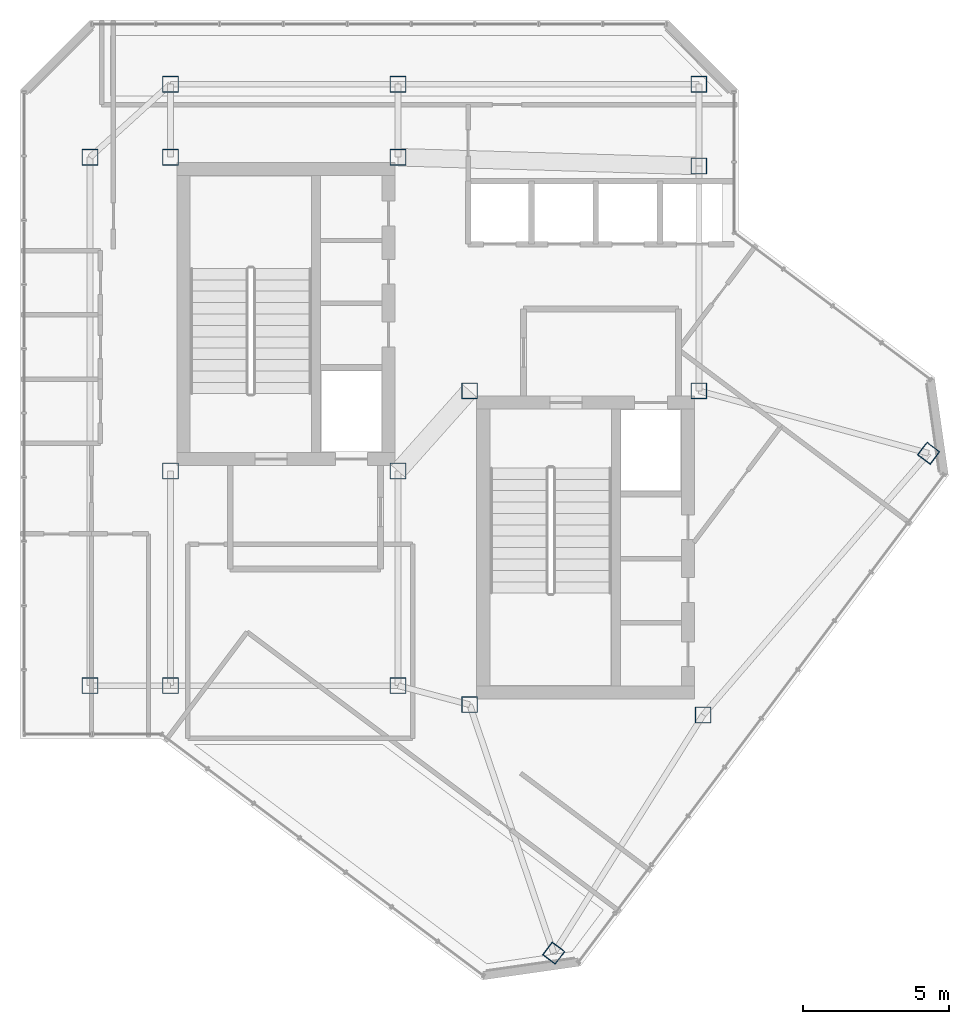
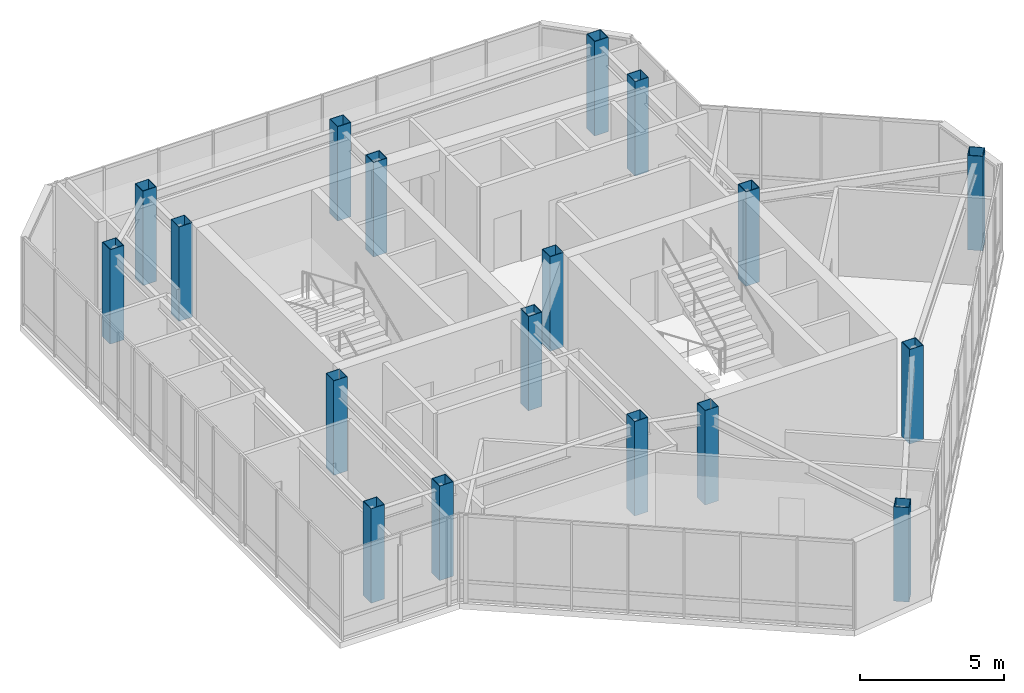
# One storey, part 1 of 24: 18 columns.
"""IFC4 building model written with IfcOpenShell, lengths in metres."""

import ifcopenshell
import ifcopenshell.guid

model = None  # the IFC model being written
_history = None  # IfcOwnerHistory: only IFC2X3 demands one
_inside = {}  # id of a spatial element -> (the spatial element, [elements in it])
_under = {}  # id of a project, library or spatial element -> (it, [spatial elements below it])
_declared = {}  # id of a project -> (the project, [libraries it declares])
_typed = {}  # id of a type object -> (the type object, [elements of that type])
_made_of = {}  # id of a material, layer set ... -> (it, [elements and type objects made of it])


def new_model(schema):
    """Start an empty IFC model of exactly this schema.

    Asked for "IFC4X3", IfcOpenShell would pick the latest addendum, in which some entities
    have other attributes; the version numbers below select the first issue.
    IFC2X3 requires an IfcOwnerHistory on every rooted entity: one is made here for all.
    """
    global model, _history
    if schema == "IFC4X3":
        model = ifcopenshell.file(schema_version=(4, 3, 0, 0))
    else:
        model = ifcopenshell.file(schema=schema)
    _inside.clear()
    _under.clear()
    _declared.clear()
    _typed.clear()
    _made_of.clear()
    _history = None
    if model.schema == "IFC2X3":
        org = make("IfcOrganization", Name="unknown")
        user = make(
            "IfcPersonAndOrganization",
            ThePerson=make("IfcPerson", FamilyName="unknown"),
            TheOrganization=org,
        )
        app = make(
            "IfcApplication",
            ApplicationDeveloper=org,
            Version="unknown",
            ApplicationFullName="unknown",
            ApplicationIdentifier="unknown",
        )
        _history = make(
            "IfcOwnerHistory",
            OwningUser=user,
            OwningApplication=app,
            ChangeAction="ADDED",
            CreationDate=0,
        )
    return model


def make(cls, **values):
    """One entity of the class cls with the attributes given. An attribute that is None is left unset."""
    return model.create_entity(
        cls, **{name: value for name, value in values.items() if value is not None}
    )


def rooted(cls, **values):
    """An entity with a GlobalId (a new one), such as an element, a storey or a relation."""
    return make(cls, GlobalId=ifcopenshell.guid.new(), OwnerHistory=_history, **values)


def si_unit(unit_type, name, prefix=None):
    """IfcSIUnit, for example si_unit("LENGTHUNIT", "METRE", prefix="MILLI")."""
    return make("IfcSIUnit", UnitType=unit_type, Prefix=prefix, Name=name)


def assignment(units):
    """IfcUnitAssignment: the units of a project."""
    return None if units is None else make("IfcUnitAssignment", Units=units)


def point(xyz):
    """IfcCartesianPoint."""
    return None if xyz is None else make("IfcCartesianPoint", Coordinates=xyz)


def direction(xyz):
    """IfcDirection."""
    return None if xyz is None else make("IfcDirection", DirectionRatios=xyz)


def frame(location, z_axis=None, x_axis=None):
    """IfcAxis2Placement3D, a coordinate frame: its origin and axes. An axis left out is left unset."""
    return make(
        "IfcAxis2Placement3D",
        Location=point(location),
        Axis=direction(z_axis),
        RefDirection=direction(x_axis),
    )


def frame_2d(location, x_axis=None):
    """IfcAxis2Placement2D, a coordinate frame in the plane: its origin and x axis."""
    return make(
        "IfcAxis2Placement2D", Location=point(location), RefDirection=direction(x_axis)
    )


def origin():
    """The frame at (0, 0, 0) with its axes left unset."""
    return frame((0.0, 0.0, 0.0))


def origin_2d():
    """The frame at (0, 0) in the plane with its x axis left unset."""
    return frame_2d((0.0, 0.0))


def place(relative_to, where):
    """IfcLocalPlacement: puts the frame where relative to a parent placement (None: the world)."""
    return make(
        "IfcLocalPlacement", PlacementRelTo=relative_to, RelativePlacement=where
    )


def context(
    kind, dimensions, precision=None, world=None, true_north=None, identifier=None
):
    """IfcGeometricRepresentationContext, for example the 3D "Model" context."""
    return make(
        "IfcGeometricRepresentationContext",
        ContextIdentifier=identifier,
        ContextType=kind,
        CoordinateSpaceDimension=dimensions,
        Precision=precision,
        WorldCoordinateSystem=world,
        TrueNorth=true_north,
    )


def subcontext(parent, identifier, kind, view, scale=None):
    """IfcGeometricRepresentationSubContext, for example "Body" below "Model"."""
    return make(
        "IfcGeometricRepresentationSubContext",
        ContextIdentifier=identifier,
        ContextType=kind,
        ParentContext=parent,
        TargetScale=scale,
        TargetView=view,
    )


def project(units=None, contexts=None):
    """IfcProject with its units and contexts."""
    return rooted(
        "IfcProject",
        Name="project",
        RepresentationContexts=contexts,
        UnitsInContext=assignment(units),
    )


def spatial(cls, under=None, at=None, **own):
    """A site, building, storey or space (cls), placed at a placement, below another one or the project."""
    s = rooted(cls, ObjectPlacement=at, **own)
    if under is not None:
        _under.setdefault(under.id(), (under, []))[1].append(s)
    return s


def profile(cls, at=None, kind="AREA", **sizes):
    """A parametric profile (cls). Its sizes go by their IFC names, for example OverallWidth=200.0."""
    return make(cls, ProfileType=kind, Position=at, **sizes)


def hollow_rectangle(**sizes):
    """IfcRectangleHollowProfileDef."""
    return profile("IfcRectangleHollowProfileDef", **sizes)


def extrude(swept, where, along, depth):
    """IfcExtrudedAreaSolid: the profile swept, set in the frame where, extruded along a direction by depth."""
    return make(
        "IfcExtrudedAreaSolid",
        SweptArea=swept,
        Position=where,
        ExtrudedDirection=direction(along),
        Depth=depth,
    )


def shape(context_of_items, identifier, shape_type, items):
    """IfcShapeRepresentation: the items that make up one representation, for example the "Body"."""
    return make(
        "IfcShapeRepresentation",
        ContextOfItems=context_of_items,
        RepresentationIdentifier=identifier,
        RepresentationType=shape_type,
        Items=items,
    )


def material(Name=None, Category=None):
    """IfcMaterial."""
    return make("IfcMaterial", Name=Name, Category=Category)


def material_profile(
    of_material, cross_section, Name=None, Category=None, Priority=None
):
    """IfcMaterialProfile: a cross section and its material."""
    return make(
        "IfcMaterialProfile",
        Name=Name,
        Material=of_material,
        Profile=cross_section,
        Priority=Priority,
        Category=Category,
    )


def profile_set(profiles, Name=None, composite=None):
    """IfcMaterialProfileSet."""
    return make(
        "IfcMaterialProfileSet",
        Name=Name,
        MaterialProfiles=profiles,
        CompositeProfile=composite,
    )


def made_of(thing, what):
    """Note that an element or type object is made of a material, layer set ...; save() writes the relation."""
    if what is not None:
        _made_of.setdefault(what.id(), (what, []))[1].append(thing)
    return thing


def type_object(cls, material=None, **own):
    """A type object (cls), such as IfcWallType, which elements share."""
    return made_of(rooted(cls, **own), material)


def element(
    cls,
    number,
    at=None,
    inside=None,
    cuts=None,
    type_object=None,
    material=None,
    context=None,
    identifier="Body",
    shape_type=None,
    held_by="IfcProductDefinitionShape",
    body=None,
    shapes=None,
    **own,
):
    """One element of the class cls, such as IfcWall. Its Tag is "e" and its number.

    at: its placement. inside: the storey or other place that contains it. cuts: it is an
    opening in that element (IfcRelVoidsElement). A single representation is given by context,
    identifier, shape_type and body (its items); several are given by shapes. held_by: the class
    of the entity that holds the representations. save() writes the other relations.
    """
    e = rooted(cls, Tag="e%d" % number, ObjectPlacement=at, **own)
    if body is not None:
        shapes = [shape(context, identifier, shape_type, body)]
    if shapes is not None:
        e.Representation = make(held_by, Representations=shapes)
    if inside is not None:
        _inside.setdefault(inside.id(), (inside, []))[1].append(e)
    if cuts is not None:
        rooted(
            "IfcRelVoidsElement", RelatingBuildingElement=cuts, RelatedOpeningElement=e
        )
    if type_object is not None:
        _typed.setdefault(type_object.id(), (type_object, []))[1].append(e)
    return made_of(e, material)


def aggregate(whole, parts):
    """IfcRelAggregates: a whole, such as a stair, and the parts it consists of."""
    return rooted("IfcRelAggregates", RelatingObject=whole, RelatedObjects=parts)


def save(model, path):
    """Write the relations noted so far, then the file.

    IfcRelAggregates (storeys below a building ...), IfcRelContainedInSpatialStructure (elements
    in a storey), IfcRelDefinesByType, IfcRelAssociatesMaterial and IfcRelDeclares: one each for
    every whole, place, type object, material and project.
    """
    for whole, parts in _under.values():
        aggregate(whole, parts)
    for where, things in _inside.values():
        rooted(
            "IfcRelContainedInSpatialStructure",
            RelatedElements=things,
            RelatingStructure=where,
        )
    for kind, things in _typed.values():
        rooted("IfcRelDefinesByType", RelatedObjects=things, RelatingType=kind)
    for what, things in _made_of.values():
        rooted("IfcRelAssociatesMaterial", RelatedObjects=things, RelatingMaterial=what)
    for by, libraries in _declared.values():
        rooted("IfcRelDeclares", RelatingContext=by, RelatedDefinitions=libraries)
    model.write(path)


model = new_model("IFC4")

# Units and contexts
model_context = context("Model", 3, precision=1e-05, world=origin(), true_north=direction((0.0, 1.0)))
body_context = subcontext(model_context, "Body", "Model", "MODEL_VIEW")
ifc_project = project(units=[si_unit("LENGTHUNIT", "METRE"), si_unit("AREAUNIT", "SQUARE_METRE"), si_unit("VOLUMEUNIT", "CUBIC_METRE"), si_unit("PLANEANGLEUNIT", "RADIAN"), si_unit("MASSUNIT", "GRAM", prefix="KILO")], contexts=[model_context])

# Site, building, storey
site_placement = place(None, origin())
site = spatial("IfcSite", under=ifc_project, at=site_placement, CompositionType="ELEMENT")
building_placement = place(site_placement, origin())
building = spatial("IfcBuilding", under=site, at=building_placement, Name="Hatsunagi Terrace Concourse", CompositionType="ELEMENT")
storey_placement = place(building_placement, frame((0.0, 0.0, 285.949951171875)))
storey = spatial("IfcBuildingStorey", under=building, at=storey_placement, Name="L75", CompositionType="ELEMENT", Elevation=285.949951171875)

# Columns
ifc_material = material(Name="Steel BCP325T", Category="steel")
ifc_material_profile = material_profile(ifc_material, hollow_rectangle(XDim=0.550048828125, YDim=0.550048828125, WallThickness=0.02197265625, at=origin_2d()), Name="BCP-550x550x22")
ifc_profile_set = profile_set([ifc_material_profile], Name="Steel BCP325T")
column_type = type_object("IfcColumnType", Name="CrownBoxColumn_550x550x22", PredefinedType="COLUMN", material=ifc_profile_set)
for number, where, z_axis, x_axis, name in (
    (1, (25.550048828125, 32.550048828125, 0.0), (0.0, 0.0, 1.0), (1.0, 0.0, 0.0), "Column C-11 L75-CASW"),
    (2, (33.35009765625, 32.550048828125, 0.0), (0.0, 0.0, 1.0), (1.0, 0.0, 0.0), "Column C-11 L75-CASE"),
    (3, (25.550048828125, 43.300048828125, 0.0), (0.0, 0.0, 1.0), (1.0, 0.0, 0.0), "Column C-11 L75-CANW"),
    (4, (33.35009765625, 43.300048828125, 0.0), (0.0, 0.0, 1.0), (1.0, 0.0, 0.0), "Column C-11 L75-CANE"),
    (5, (35.800048828125, 24.550048828125, 0.0), (0.0, 0.0, 1.0), (1.0, 0.0, 0.0), "Column C-11 L75-CBSW"),
    (6, (43.800048828125, 24.199951171875, 0.0), (0.0, 0.0, 1.0), (1.0, 0.0, 0.0), "Column C-11 L75-CBSE"),
    (7, (35.800048828125, 35.300048828125, 0.0), (0.0, 0.0, 1.0), (1.0, 0.0, 0.0), "Column C-11 L75-CBNW"),
    (8, (43.64990234375, 35.300048828125, 0.0), (0.0, 0.0, 1.0), (1.0, 0.0, 0.0), "Column C-11 L75-CBNE"),
    (9, (25.550048828125, 25.199951171875, 0.0), (0.0, 0.0, 1.0), (1.0, 0.0, 0.0), "Column C-11 L75-K1"),
    (10, (33.35009765625, 25.199951171875, 0.0), (0.0, 0.0, 1.0), (1.0, 0.0, 0.0), "Column C-11 L75-K2"),
    (11, (43.64990234375, 43.0, 0.0), (0.0, 0.0, 1.0), (1.0, 0.0, 0.0), "Column C-11 L75-K3"),
    (12, (25.550048828125, 45.800048828125, 0.0), (0.0, 0.0, 1.0), (1.0, 0.0, 0.0), "Column C-11 L75-CN1"),
    (13, (33.35009765625, 45.800048828125, 0.0), (0.0, 0.0, 1.0), (1.0, 0.0, 0.0), "Column C-11 L75-CN2"),
    (14, (43.64990234375, 45.800048828125, 0.0), (0.0, 0.0, 1.0), (1.0, 0.0, 0.0), "Column C-11 L75-CN3"),
    (15, (22.800048828125, 25.199951171875, 0.0), (0.0, 0.0, 1.0), (1.0, 0.0, 0.0), "Column C-11 L75-CW1"),
    (16, (22.800048828125, 43.300048828125, 0.0), (0.0, 0.0, 1.0), (1.0, 0.0, 0.0), "Column C-11 L75-CW2"),
    (17, (38.679931640625, 16.0400390625, 0.0), (0.0, 0.0, 1.0), (0.799999996291, -0.600000004945, 0.0), "Column C-11 L75-SES1"),
    (18, (51.52001953125, 33.159912109375, 0.0), (0.0, 0.0, 1.0), (0.799999996291, -0.600000004945, 0.0), "Column C-11 L75-SEN1"),
):
    element("IfcColumn", number, at=place(storey_placement, frame(where, z_axis=z_axis, x_axis=x_axis)), inside=storey, type_object=column_type, Name=name, PredefinedType="COLUMN", context=body_context, shape_type="SweptSolid", body=[
        extrude(hollow_rectangle(XDim=0.550048828125, YDim=0.550048828125, WallThickness=0.02197265625, at=origin_2d()), origin(), (0.0, 0.0, 1.0), 4.0),
    ])

save(model, "model.ifc")
